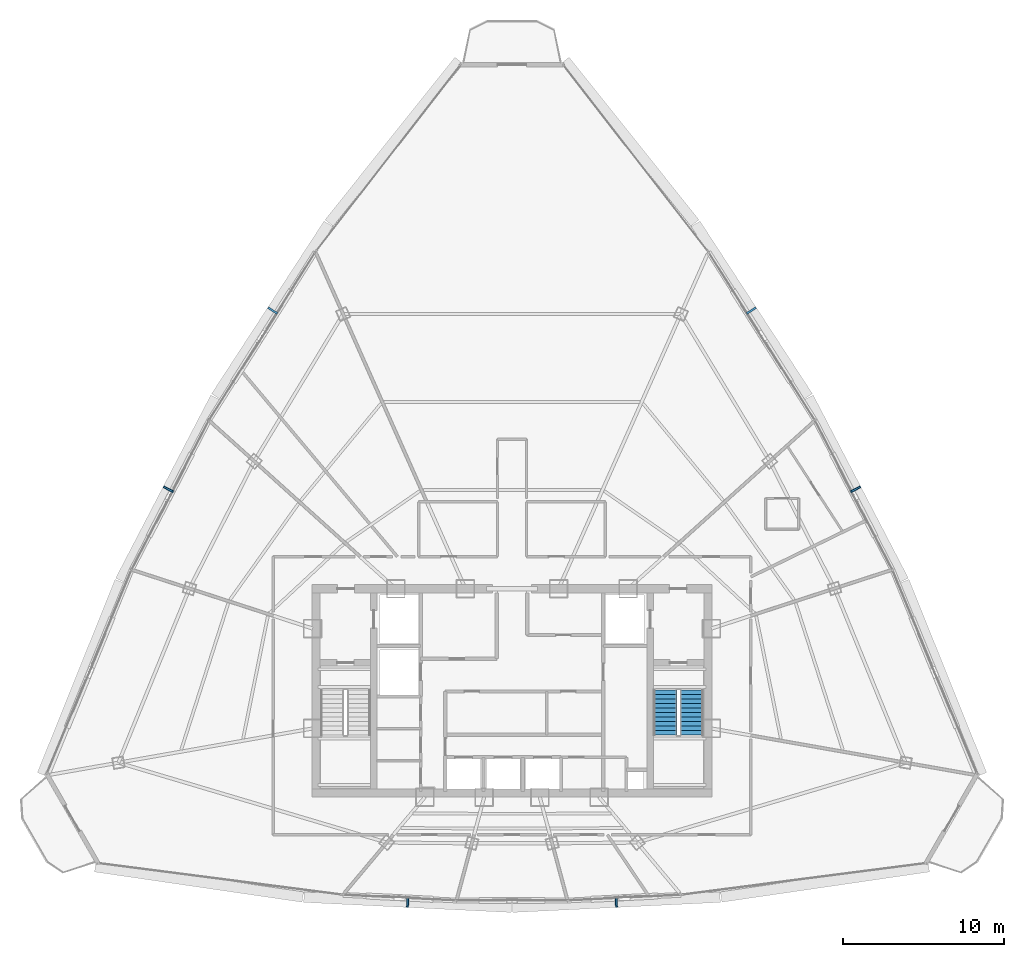
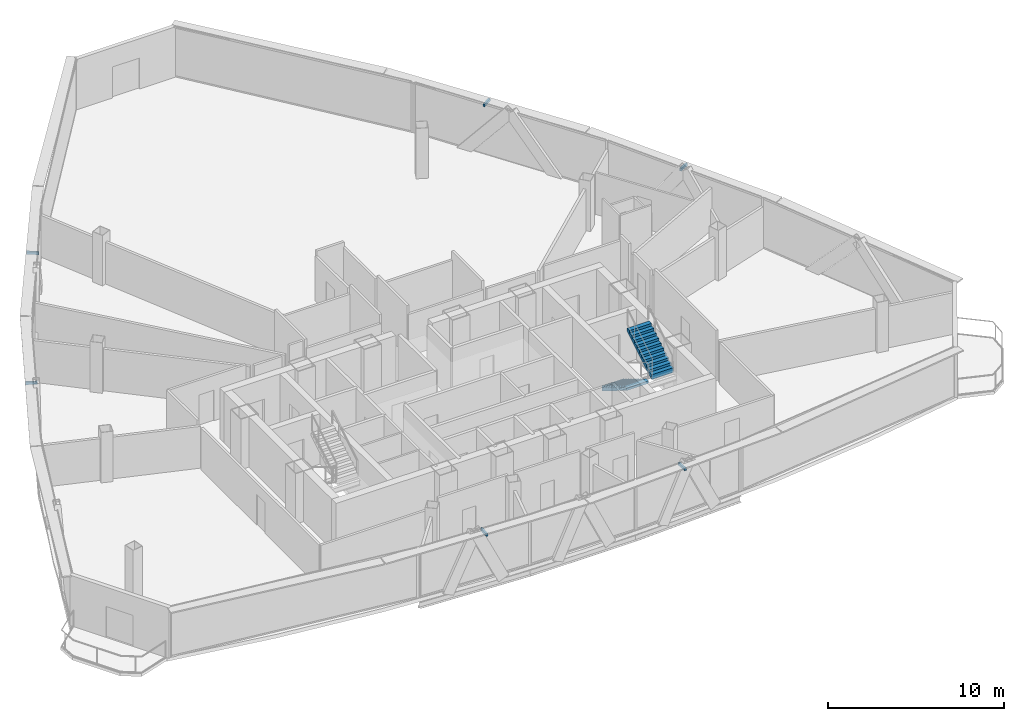
# One storey, part 30 of 33: 6 discrete accessories, 2 stair flights, 1 element without a shape of its own.
"""IFC4 building model written with IfcOpenShell, lengths in metres."""

from ifc_helpers import new_model, si_unit, direction, frame, origin, origin_2d, place, context, subcontext, project, spatial, polyline, rectangle, outline, extrude, source, transform, mapped, material, type_object, element, aggregate, save


model = new_model("IFC4")

# Units and contexts
model_context = context("Model", 3, precision=1e-05, world=origin(), true_north=direction((0.0, 1.0)))
body_context = subcontext(model_context, "Body", "Model", "MODEL_VIEW")
ifc_project = project(units=[si_unit("LENGTHUNIT", "METRE"), si_unit("AREAUNIT", "SQUARE_METRE"), si_unit("VOLUMEUNIT", "CUBIC_METRE"), si_unit("PLANEANGLEUNIT", "RADIAN"), si_unit("MASSUNIT", "GRAM", prefix="KILO"), si_unit("THERMODYNAMICTEMPERATUREUNIT", "KELVIN"), si_unit("POWERUNIT", "WATT")], contexts=[model_context])

# Site, building, storey
site_placement = place(None, origin())
site = spatial("IfcSite", under=ifc_project, at=site_placement, CompositionType="ELEMENT")
building_placement = place(site_placement, origin())
building = spatial("IfcBuilding", under=site, at=building_placement, Name="Yunzhuo Pagoda Commons", CompositionType="ELEMENT")
storey_placement = place(building_placement, frame((0.0, 0.0, 325.510009765625)))
storey = spatial("IfcBuildingStorey", under=building, at=storey_placement, Name="L81", CompositionType="ELEMENT", Elevation=325.510009765625)

# Stair, stair flights
ifc_material_1 = material(Name="Concrete C40", Category="concrete")
stair_type = type_object("IfcStairType", Name="ST-C2 Core Smokeproof Stair ST2", PredefinedType="HALF_TURN_STAIR", material=ifc_material_1)
stair_placement = place(storey_placement, origin())
stair = element("IfcStair", 1, at=stair_placement, inside=storey, type_object=stair_type, Name="L81 Core smokeproof stair ST2", PredefinedType="HALF_TURN_STAIR")
stair_flight_type = type_object("IfcStairFlightType", Name="STF-C2 Core Stair Flight 1460", PredefinedType="STRAIGHT", material=ifc_material_1)
shared_shape_1 = source(origin(), body_context, "Body", "SweptSolid", [
    extrude(outline(polyline([(0.0, -0.14990234375), (0.0, 0.0), (0.0, 0.17041015625), (0.280029296875, 0.17041015625), (0.280029296875, 0.3408203125), (0.56005859375, 0.3408203125), (0.56005859375, 0.511474609375), (0.840087890625, 0.511474609375), (0.840087890625, 0.681884765625), (1.1201171875, 0.681884765625), (1.1201171875, 0.852294921875), (1.39990234375, 0.852294921875), (1.39990234375, 1.022705078125), (1.679931640625, 1.022705078125), (1.679931640625, 1.193115234375), (1.9599609375, 1.193115234375), (1.9599609375, 1.363525390625), (2.239990234375, 1.363525390625), (2.239990234375, 1.5341796875), (2.52001953125, 1.5341796875), (2.52001953125, 1.70458984375), (2.800048828125, 1.70458984375), (2.800048828125, 1.875), (2.800048828125, 1.529052734375), (0.288330078125, 0.0), (0.050048828125, -0.14990234375), (0.0, -0.14990234375)])), frame((0.0, 0.72509765625, 0.0), z_axis=(0.0, -1.0, 0.0), x_axis=(1.0, 0.0, 0.0)), (0.0, 0.0, 1.0), 1.449951171875),
])
stair_flight_1_placement = place(storey_placement, frame((57.52490234375, 33.89990234375, 0.0), z_axis=(0.0, 0.0, 1.0), x_axis=(0.0, -1.0, 0.0)))
stair_flight_1 = element("IfcStairFlight", 2, at=stair_flight_1_placement, type_object=stair_flight_type, Name="ST2 flight 1", NumberOfRisers=11, NumberOfTreads=10, PredefinedType="STRAIGHT", RiserHeight=0.170454545, TreadLength=0.28, context=body_context, shape_type="MappedRepresentation", body=[
    mapped(shared_shape_1, transform((0.0, 0.0, 0.0), scale=1.0)),
])
stair_flight_2_placement = place(storey_placement, frame((59.175048828125, 31.10009765625, 1.875), z_axis=(0.0, 0.0, 1.0), x_axis=(0.0, 1.0, 0.0)))
stair_flight_2 = element("IfcStairFlight", 3, at=stair_flight_2_placement, type_object=stair_flight_type, Name="ST2 flight 2", NumberOfRisers=11, NumberOfTreads=10, PredefinedType="STRAIGHT", RiserHeight=0.170454545, TreadLength=0.28, context=body_context, shape_type="MappedRepresentation", body=[
    mapped(shared_shape_1, transform((0.0, 0.0, 0.0), scale=1.0)),
])
aggregate(stair, [stair_flight_1, stair_flight_2])

# Discrete accessories
ifc_material_2 = material(Name="Anodized aluminium 6063-T6", Category="aluminium")
discrete_accessory_type = type_object("IfcDiscreteAccessoryType", Name="BK-SUN1 Sunshade Outrigger Bracket", PredefinedType="BRACKET", material=ifc_material_2)
shared_shape_2 = source(origin(), body_context, "Body", "SweptSolid", [
    extrude(rectangle(XDim=0.1201171875, YDim=0.679931640625, at=origin_2d()), origin(), (0.0, 0.0, 1.0), 0.179931640625),
])
for number, where, z_axis, x_axis, name in (
    (4, (41.515380859375, 20.7509765625, 3.27978515625), (0.0, 0.0, 1.0), (0.998818043775, -0.04860571396, 0.0), "L81 sunshade outrigger bracket F1.2"),
    (5, (54.484619140625, 20.7509765625, 3.27978515625), (0.0, 0.0, 1.0), (0.998818043775, 0.04860571396, 0.0), "L81 sunshade outrigger bracket F1.3"),
    (6, (69.363037109375, 46.38671875, 3.27978515625), (0.0, 0.0, 1.0), (-0.461206683033, 0.88729273384, 0.0), "L81 sunshade outrigger bracket F2.2"),
    (7, (62.87841796875, 57.49609375, 3.27978515625), (0.0, 0.0, 1.0), (-0.545853380833, 0.837880711458, 0.0), "L81 sunshade outrigger bracket F2.3"),
    (8, (33.12158203125, 57.49609375, 3.27978515625), (0.0, 0.0, 1.0), (-0.545853380833, -0.837880711458, 0.0), "L81 sunshade outrigger bracket F3.2"),
    (9, (26.636962890625, 46.38671875, 3.27978515625), (0.0, 0.0, 1.0), (-0.461206683033, -0.88729273384, 0.0), "L81 sunshade outrigger bracket F3.3"),
):
    element("IfcDiscreteAccessory", number, at=place(storey_placement, frame(where, z_axis=z_axis, x_axis=x_axis)), inside=storey, type_object=discrete_accessory_type, Name=name, PredefinedType="BRACKET", context=body_context, shape_type="MappedRepresentation", body=[
        mapped(shared_shape_2, transform((0.0, 0.0, 0.0), scale=1.0)),
    ])

save(model, "model.ifc")
